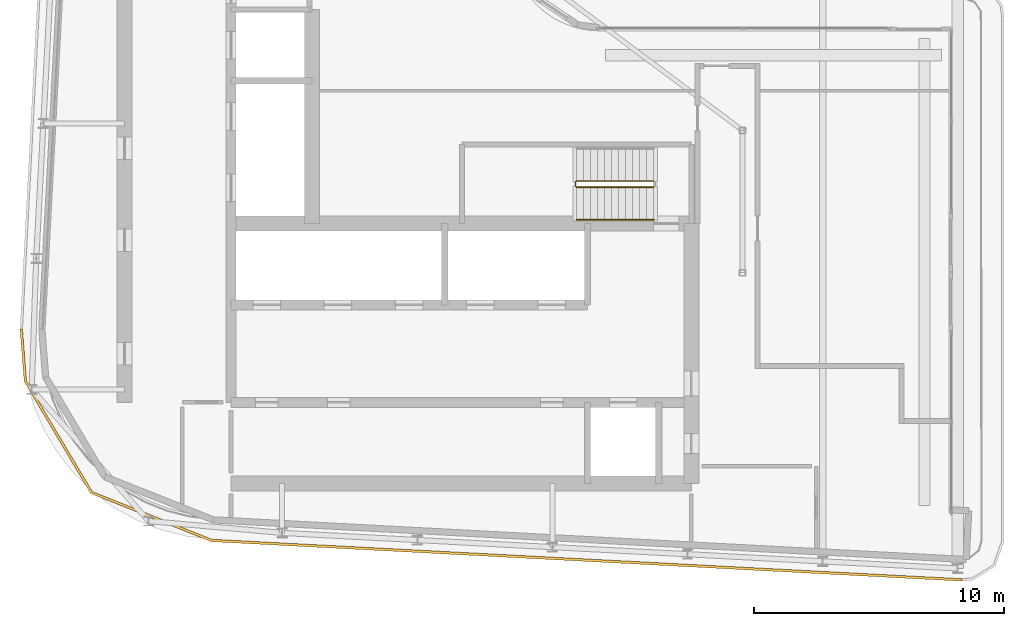
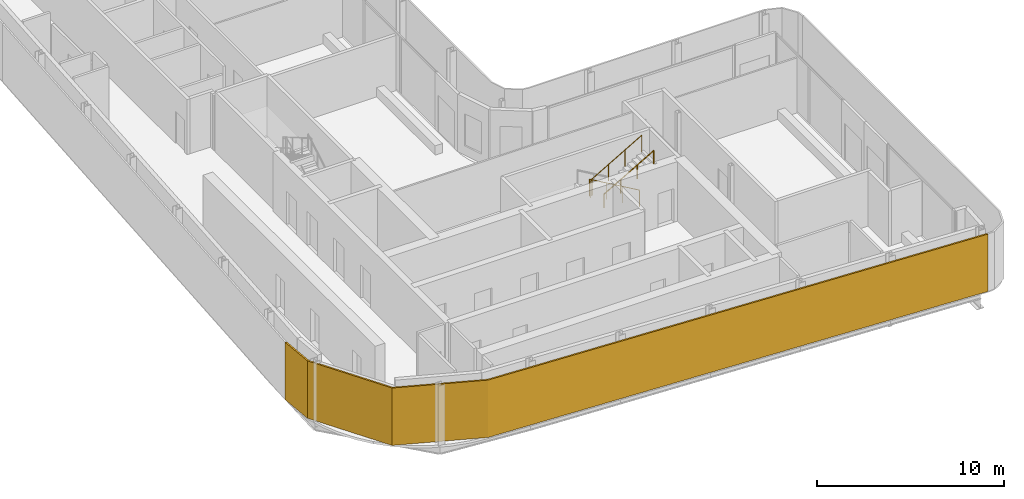
# One storey, part 16 of 21: 2 railings, 1 shading device.
"""IFC4 building model written with IfcOpenShell, lengths in metres."""

from ifc_helpers import new_model, si_unit, direction, frame, origin, origin_2d, place, context, subcontext, project, spatial, polyline, circle, outline, extrude, material, layer, layer_set, type_object, element, save


model = new_model("IFC4")

# Units and contexts
model_context = context("Model", 3, precision=1e-05, world=origin(), true_north=direction((0.0, 1.0)))
body_context = subcontext(model_context, "Body", "Model", "MODEL_VIEW")
ifc_project = project(units=[si_unit("LENGTHUNIT", "METRE"), si_unit("AREAUNIT", "SQUARE_METRE"), si_unit("VOLUMEUNIT", "CUBIC_METRE"), si_unit("PLANEANGLEUNIT", "RADIAN"), si_unit("MASSUNIT", "GRAM", prefix="KILO")], contexts=[model_context])

# Site, building, storey
site_placement = place(None, origin())
site = spatial("IfcSite", under=ifc_project, at=site_placement, CompositionType="ELEMENT")
building_placement = place(site_placement, origin())
building = spatial("IfcBuilding", under=site, at=building_placement, Name="Kheshtan School and Residences Tower", CompositionType="ELEMENT")
storey_placement = place(building_placement, frame((0.0, 0.0, 278.60009765625)))
storey = spatial("IfcBuildingStorey", under=building, at=storey_placement, Name="L65", CompositionType="ELEMENT", Elevation=278.60009765625)

# Shading device
ifc_material_1 = material(Name="Terracotta baguette, extruded ceramic", Category="masonry")
ifc_layer = layer(ifc_material_1, 0.10009765625)
ifc_layer_set = layer_set([ifc_layer], Name="Ledge screen, terracotta baguettes")
shading_device_type = type_object("IfcShadingDeviceType", Name="Ledge screen, terracotta baguettes", PredefinedType="USERDEFINED", material=ifc_layer_set)
shading_device_placement = place(storey_placement, origin())
element("IfcShadingDevice", 1, at=shading_device_placement, inside=storey, type_object=shading_device_type, Name="Screen L65 3", ObjectType="BAGUETTE", PredefinedType="USERDEFINED", context=body_context, shape_type="SweptSolid", body=[
    extrude(outline(polyline([(63.970947265625, 22.001953125), (33.989013671875, 23.580078125), (29.2119140625, 25.486083984375), (26.583984375, 29.906982421875), (26.419921875, 31.989013671875), (26.320068359375, 31.98095703125), (26.486083984375, 29.8759765625), (29.14306640625, 25.406005859375), (33.967041015625, 23.48095703125), (63.966064453125, 21.902099609375), (63.970947265625, 22.001953125)])), origin(), (0.0, 0.0, 1.0), 3.75),
])

# Railings
ifc_material_2 = material(Name="Stainless steel balustrade", Category="steel")
railing_type_1 = type_object("IfcRailingType", Name="Stair guard 1100", PredefinedType="GUARDRAIL", material=ifc_material_2)
railing_1_placement = place(storey_placement, frame((51.64990234375, 37.89990234375, 0.162353515625)))
element("IfcRailing", 2, at=railing_1_placement, inside=storey, type_object=railing_type_1, Name="L65 ST1 stair guard 1", PredefinedType="GUARDRAIL", context=body_context, shape_type="SweptSolid", body=[
    extrude(circle(Radius=0.02392578125, at=origin_2d()), frame((0.0, 0.0, 1.076171875), z_axis=(-0.864873446163, 0.0, 0.501989962173), x_axis=(0.0, -1.0, 0.0)), (0.0, 0.0, 1.0), 3.56103515625),
    extrude(circle(Radius=0.02392578125, at=origin_2d()), frame((-3.079833984375, 0.0, 2.86376953125), z_axis=(-0.708833529934, -0.705375805398, 0.0), x_axis=(0.705375805398, -0.708833529934, 0.0)), (0.0, 0.0, 1.0), 0.070556640625),
    extrude(circle(Radius=0.02392578125, at=origin_2d()), frame((-3.1298828125, -0.0498046875, 2.86376953125), z_axis=(0.0, -1.0, 0.0), x_axis=(1.0, 0.0, 0.0)), (0.0, 0.0, 1.0), 0.150146484375),
    extrude(circle(Radius=0.02392578125, at=origin_2d()), frame((-3.1298828125, -0.199951171875, 2.86376953125), z_axis=(0.282583949758, -0.282583949758, 0.916674763849), x_axis=(0.707106781187, 0.707106781187, 0.0)), (0.0, 0.0, 1.0), 0.177001953125),
    extrude(circle(Radius=0.02392578125, at=origin_2d()), frame((-3.079833984375, -0.25, 3.02587890625), z_axis=(0.864873446163, 0.0, 0.501989962173), x_axis=(0.0, 1.0, 0.0)), (0.0, 0.0, 1.0), 3.56103515625),
    extrude(circle(Radius=0.02099609375, at=origin_2d()), origin(), (0.0, 0.0, 1.0), 1.052001953125),
    extrude(circle(Radius=0.02099609375, at=origin_2d()), frame((-1.026611328125, 0.0, 0.595947265625)), (0.0, 0.0, 1.0), 1.052001953125),
    extrude(circle(Radius=0.02099609375, at=origin_2d()), frame((-2.05322265625, 0.0, 1.191650390625)), (0.0, 0.0, 1.0), 1.052001953125),
    extrude(circle(Radius=0.02099609375, at=origin_2d()), frame((-3.079833984375, 0.0, 1.78759765625)), (0.0, 0.0, 1.0), 1.052001953125),
    extrude(circle(Radius=0.02099609375, at=origin_2d()), frame((-3.1298828125, -0.0498046875, 1.78759765625)), (0.0, 0.0, 1.0), 1.052001953125),
    extrude(circle(Radius=0.02099609375, at=origin_2d()), frame((-3.1298828125, -0.199951171875, 1.78759765625)), (0.0, 0.0, 1.0), 1.052001953125),
    extrude(circle(Radius=0.02099609375, at=origin_2d()), frame((-3.079833984375, -0.25, 1.949951171875)), (0.0, 0.0, 1.0), 1.052001953125),
    extrude(circle(Radius=0.02099609375, at=origin_2d()), frame((-2.05322265625, -0.25, 2.5458984375)), (0.0, 0.0, 1.0), 1.052001953125),
    extrude(circle(Radius=0.02099609375, at=origin_2d()), frame((-1.026611328125, -0.25, 3.1416015625)), (0.0, 0.0, 1.0), 1.052001953125),
    extrude(circle(Radius=0.02099609375, at=origin_2d()), frame((0.0, -0.25, 3.737548828125)), (0.0, 0.0, 1.0), 1.052001953125),
])
ifc_material_3 = material(Name="Stainless steel handrail", Category="steel")
railing_type_2 = type_object("IfcRailingType", Name="Stair handrail 900", PredefinedType="HANDRAIL", material=ifc_material_3)
railing_2_placement = place(storey_placement, frame((48.570068359375, 36.35009765625, 2.1123046875)))
element("IfcRailing", 3, at=railing_2_placement, inside=storey, type_object=railing_type_2, Name="L65 ST1 stair handrail 2", PredefinedType="HANDRAIL", context=body_context, shape_type="SweptSolid", body=[
    extrude(circle(Radius=0.02392578125, at=origin_2d()), frame((0.0, 0.0, 0.8759765625), z_axis=(0.864873446163, 0.0, 0.501989962173), x_axis=(0.0, 1.0, 0.0)), (0.0, 0.0, 1.0), 3.56103515625),
    extrude(circle(Radius=0.02099609375, at=origin_2d()), origin(), (0.0, 0.0, 1.0), 0.851806640625),
    extrude(circle(Radius=0.02099609375, at=origin_2d()), frame((1.026611328125, 0.0, 0.595947265625)), (0.0, 0.0, 1.0), 0.851806640625),
    extrude(circle(Radius=0.02099609375, at=origin_2d()), frame((2.05322265625, 0.0, 1.191650390625)), (0.0, 0.0, 1.0), 0.851806640625),
    extrude(circle(Radius=0.02099609375, at=origin_2d()), frame((3.079833984375, 0.0, 1.78759765625)), (0.0, 0.0, 1.0), 0.851806640625),
])

save(model, "model.ifc")
